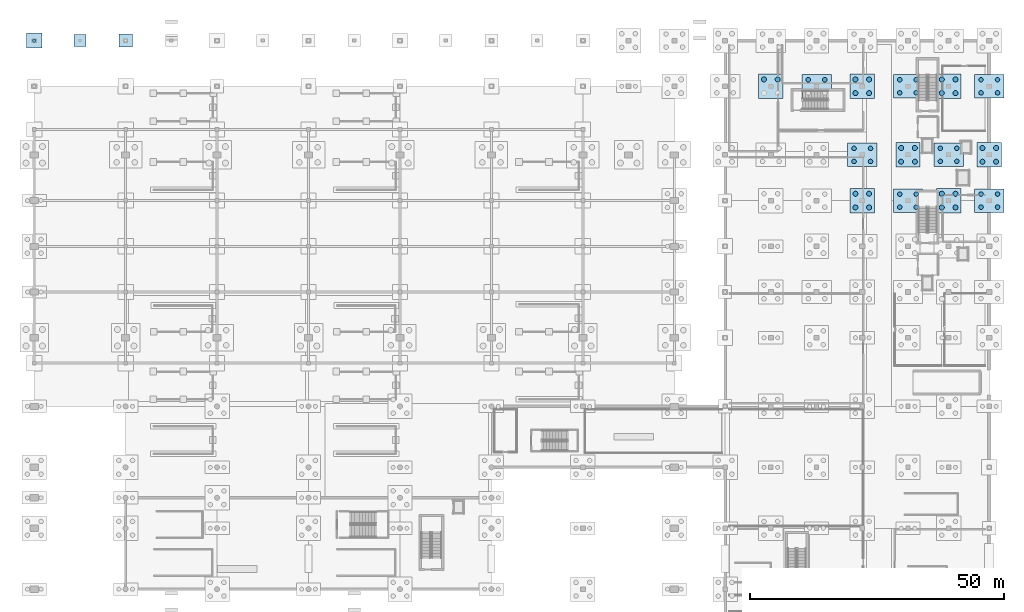
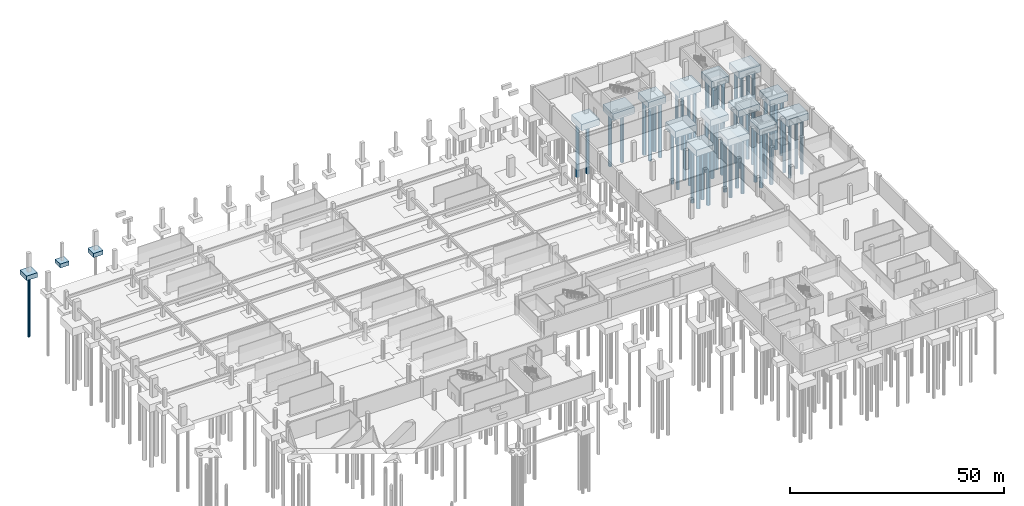
# One storey, part 8 of 26: 53 piles, 17 footings.
"""IFC4 building model written with IfcOpenShell, lengths in metres."""

from ifc_helpers import new_model, si_unit, direction, frame, origin, origin_2d, place, context, subcontext, project, spatial, polyline, circle, outline, extrude, material, material_profile, profile_set, type_object, element, save


model = new_model("IFC4")

# Units and contexts
model_context = context("Model", 3, precision=1e-05, world=origin(), true_north=direction((0.0, 1.0)))
body_context = subcontext(model_context, "Body", "Model", "MODEL_VIEW")
ifc_project = project(units=[si_unit("LENGTHUNIT", "METRE"), si_unit("AREAUNIT", "SQUARE_METRE"), si_unit("VOLUMEUNIT", "CUBIC_METRE"), si_unit("PLANEANGLEUNIT", "RADIAN"), si_unit("MASSUNIT", "GRAM", prefix="KILO")], contexts=[model_context])

# Site, building, storey
site_placement = place(None, origin())
site = spatial("IfcSite", under=ifc_project, at=site_placement, CompositionType="ELEMENT")
building_placement = place(site_placement, origin())
building = spatial("IfcBuilding", under=site, at=building_placement, Name="Chuanluo Vaults Station", CompositionType="ELEMENT")
storey_placement = place(building_placement, frame((0.0, 0.0, -5.39990234375)))
storey = spatial("IfcBuildingStorey", under=building, at=storey_placement, Name="B1", CompositionType="ELEMENT", Elevation=-5.39990234375)

# Footings
ifc_material_1 = material(Name="Concrete C40", Category="concrete")
footing_type_1 = type_object("IfcFootingType", Name="FTG-PC-11", PredefinedType="PAD_FOOTING", material=ifc_material_1)
footing_1_placement = place(storey_placement, frame((0.0, 0.0, -1.10009765625)))
element("IfcFooting", 1, at=footing_1_placement, inside=storey, type_object=footing_type_1, Name="Pilaster pad footing 01", PredefinedType="PAD_FOOTING", context=body_context, shape_type="SweptSolid", body=[
    extrude(outline(polyline([(7.800048828125, 124.800048828125), (10.199951171875, 124.800048828125), (10.199951171875, 127.199951171875), (7.800048828125, 127.199951171875), (7.800048828125, 124.800048828125)])), origin(), (0.0, 0.0, 1.0), 1.10009765625),
])
ifc_material_2 = material(Name="Concrete C40", Category="concrete")
footing_type_2 = type_object("IfcFootingType", Name="FTG-PC-2", PredefinedType="PILE_CAP", material=ifc_material_2)
footing_2_placement = place(storey_placement, frame((0.0, 0.0, -3.0)))
element("IfcFooting", 2, at=footing_2_placement, inside=storey, type_object=footing_type_2, Name="Pile cap PC-108", PredefinedType="PILE_CAP", context=body_context, shape_type="SweptSolid", body=[
    extrude(outline(polyline([(142.60009765625, 114.60009765625), (147.39990234375, 114.60009765625), (147.39990234375, 119.39990234375), (142.60009765625, 119.39990234375), (142.60009765625, 114.60009765625)])), origin(), (0.0, 0.0, 1.0), 1.7998046875),
])
footing_3_placement = place(storey_placement, frame((0.0, 0.0, -3.0)))
element("IfcFooting", 3, at=footing_3_placement, inside=storey, type_object=footing_type_2, Name="Pile cap PC-132", PredefinedType="PILE_CAP", context=body_context, shape_type="SweptSolid", body=[
    extrude(outline(polyline([(160.60009765625, 92.10009765625), (165.39990234375, 92.10009765625), (165.39990234375, 96.89990234375), (160.60009765625, 96.89990234375), (160.60009765625, 92.10009765625)])), origin(), (0.0, 0.0, 1.0), 1.7998046875),
])
footing_4_placement = place(storey_placement, frame((0.0, 0.0, -3.0)))
element("IfcFooting", 4, at=footing_4_placement, inside=storey, type_object=footing_type_2, Name="Pile cap PC-134", PredefinedType="PILE_CAP", context=body_context, shape_type="SweptSolid", body=[
    extrude(outline(polyline([(160.60009765625, 114.60009765625), (165.39990234375, 114.60009765625), (165.39990234375, 119.39990234375), (160.60009765625, 119.39990234375), (160.60009765625, 114.60009765625)])), origin(), (0.0, 0.0, 1.0), 1.7998046875),
])
footing_5_placement = place(storey_placement, frame((0.0, 0.0, -3.0)))
element("IfcFooting", 5, at=footing_5_placement, inside=storey, type_object=footing_type_2, Name="Pile cap PC-146", PredefinedType="PILE_CAP", context=body_context, shape_type="SweptSolid", body=[
    extrude(outline(polyline([(169.60009765625, 101.10009765625), (174.39990234375, 101.10009765625), (174.39990234375, 105.89990234375), (169.60009765625, 105.89990234375), (169.60009765625, 101.10009765625)])), origin(), (0.0, 0.0, 1.0), 1.7998046875),
])
footing_6_placement = place(storey_placement, frame((0.0, 0.0, -3.0)))
element("IfcFooting", 6, at=footing_6_placement, inside=storey, type_object=footing_type_2, Name="Pile cap PC-158", PredefinedType="PILE_CAP", context=body_context, shape_type="SweptSolid", body=[
    extrude(outline(polyline([(177.60009765625, 92.10009765625), (182.39990234375, 92.10009765625), (182.39990234375, 96.89990234375), (177.60009765625, 96.89990234375), (177.60009765625, 92.10009765625)])), origin(), (0.0, 0.0, 1.0), 1.7998046875),
])
footing_7_placement = place(storey_placement, frame((0.0, 0.0, -3.0)))
element("IfcFooting", 7, at=footing_7_placement, inside=storey, type_object=footing_type_2, Name="Pile cap PC-160", PredefinedType="PILE_CAP", context=body_context, shape_type="SweptSolid", body=[
    extrude(outline(polyline([(177.60009765625, 114.60009765625), (182.39990234375, 114.60009765625), (182.39990234375, 119.39990234375), (177.60009765625, 119.39990234375), (177.60009765625, 114.60009765625)])), origin(), (0.0, 0.0, 1.0), 1.7998046875),
])
footing_8_placement = place(storey_placement, frame((0.0, 0.0, -3.0)))
element("IfcFooting", 8, at=footing_8_placement, inside=storey, type_object=footing_type_2, Name="Pile cap PC-172", PredefinedType="PILE_CAP", context=body_context, shape_type="SweptSolid", body=[
    extrude(outline(polyline([(185.60009765625, 101.10009765625), (190.39990234375, 101.10009765625), (190.39990234375, 105.89990234375), (185.60009765625, 105.89990234375), (185.60009765625, 101.10009765625)])), origin(), (0.0, 0.0, 1.0), 1.7998046875),
])
ifc_material_3 = material(Name="Concrete C40", Category="concrete")
footing_type_3 = type_object("IfcFootingType", Name="FTG-PC-5", PredefinedType="PILE_CAP", material=ifc_material_3)
footing_9_placement = place(storey_placement, frame((0.0, 0.0, -1.300048828125)))
element("IfcFooting", 9, at=footing_9_placement, inside=storey, type_object=footing_type_3, Name="Pile cap PC-014", PredefinedType="PILE_CAP", context=body_context, shape_type="SweptSolid", body=[
    extrude(outline(polyline([(-1.5, 124.5), (1.5, 124.5), (1.5, 127.5), (-1.5, 127.5), (-1.5, 124.5)])), origin(), (0.0, 0.0, 1.0), 1.300048828125),
])
ifc_material_4 = material(Name="Concrete C40", Category="concrete")
footing_type_4 = type_object("IfcFootingType", Name="FTG-PC-6", PredefinedType="PILE_CAP", material=ifc_material_4)
footing_10_placement = place(storey_placement, frame((0.0, 0.0, -1.2001953125)))
element("IfcFooting", 10, at=footing_10_placement, inside=storey, type_object=footing_type_4, Name="Pile cap PC-025", PredefinedType="PILE_CAP", context=body_context, shape_type="SweptSolid", body=[
    extrude(outline(polyline([(16.699951171875, 124.699951171875), (19.300048828125, 124.699951171875), (19.300048828125, 127.300048828125), (16.699951171875, 127.300048828125), (16.699951171875, 124.699951171875)])), origin(), (0.0, 0.0, 1.0), 1.2001953125),
])
ifc_material_5 = material(Name="Concrete C40", Category="concrete")
footing_type_5 = type_object("IfcFootingType", Name="FTG-PC-8", PredefinedType="PILE_CAP", material=ifc_material_5)
footing_11_placement = place(storey_placement, frame((0.0, 0.0, -3.10009765625)))
element("IfcFooting", 11, at=footing_11_placement, inside=storey, type_object=footing_type_5, Name="Pile cap PC-121", PredefinedType="PILE_CAP", context=body_context, shape_type="SweptSolid", body=[
    extrude(outline(polyline([(151.10009765625, 114.699951171875), (156.89990234375, 114.699951171875), (156.89990234375, 119.300048828125), (151.10009765625, 119.300048828125), (151.10009765625, 114.699951171875)])), origin(), (0.0, 0.0, 1.0), 1.89990234375),
])
footing_12_placement = place(storey_placement, frame((0.0, 0.0, -3.10009765625)))
element("IfcFooting", 12, at=footing_12_placement, inside=storey, type_object=footing_type_5, Name="Pile cap PC-133", PredefinedType="PILE_CAP", context=body_context, shape_type="SweptSolid", body=[
    extrude(outline(polyline([(160.10009765625, 101.199951171875), (165.89990234375, 101.199951171875), (165.89990234375, 105.800048828125), (160.10009765625, 105.800048828125), (160.10009765625, 101.199951171875)])), origin(), (0.0, 0.0, 1.0), 1.89990234375),
])
footing_13_placement = place(storey_placement, frame((0.0, 0.0, -3.10009765625)))
element("IfcFooting", 13, at=footing_13_placement, inside=storey, type_object=footing_type_5, Name="Pile cap PC-145", PredefinedType="PILE_CAP", context=body_context, shape_type="SweptSolid", body=[
    extrude(outline(polyline([(169.10009765625, 92.199951171875), (174.89990234375, 92.199951171875), (174.89990234375, 96.800048828125), (169.10009765625, 96.800048828125), (169.10009765625, 92.199951171875)])), origin(), (0.0, 0.0, 1.0), 1.89990234375),
])
footing_14_placement = place(storey_placement, frame((0.0, 0.0, -3.10009765625)))
element("IfcFooting", 14, at=footing_14_placement, inside=storey, type_object=footing_type_5, Name="Pile cap PC-147", PredefinedType="PILE_CAP", context=body_context, shape_type="SweptSolid", body=[
    extrude(outline(polyline([(169.10009765625, 114.699951171875), (174.89990234375, 114.699951171875), (174.89990234375, 119.300048828125), (169.10009765625, 119.300048828125), (169.10009765625, 114.699951171875)])), origin(), (0.0, 0.0, 1.0), 1.89990234375),
])
footing_15_placement = place(storey_placement, frame((0.0, 0.0, -3.10009765625)))
element("IfcFooting", 15, at=footing_15_placement, inside=storey, type_object=footing_type_5, Name="Pile cap PC-159", PredefinedType="PILE_CAP", context=body_context, shape_type="SweptSolid", body=[
    extrude(outline(polyline([(177.10009765625, 101.199951171875), (182.89990234375, 101.199951171875), (182.89990234375, 105.800048828125), (177.10009765625, 105.800048828125), (177.10009765625, 101.199951171875)])), origin(), (0.0, 0.0, 1.0), 1.89990234375),
])
footing_16_placement = place(storey_placement, frame((0.0, 0.0, -3.10009765625)))
element("IfcFooting", 16, at=footing_16_placement, inside=storey, type_object=footing_type_5, Name="Pile cap PC-171", PredefinedType="PILE_CAP", context=body_context, shape_type="SweptSolid", body=[
    extrude(outline(polyline([(185.10009765625, 92.199951171875), (190.89990234375, 92.199951171875), (190.89990234375, 96.800048828125), (185.10009765625, 96.800048828125), (185.10009765625, 92.199951171875)])), origin(), (0.0, 0.0, 1.0), 1.89990234375),
])
footing_17_placement = place(storey_placement, frame((0.0, 0.0, -3.10009765625)))
element("IfcFooting", 17, at=footing_17_placement, inside=storey, type_object=footing_type_5, Name="Pile cap PC-173", PredefinedType="PILE_CAP", context=body_context, shape_type="SweptSolid", body=[
    extrude(outline(polyline([(185.10009765625, 114.699951171875), (190.89990234375, 114.699951171875), (190.89990234375, 119.300048828125), (185.10009765625, 119.300048828125), (185.10009765625, 114.699951171875)])), origin(), (0.0, 0.0, 1.0), 1.89990234375),
])

# Piles
ifc_material_6 = material(Name="Concrete C40", Category="concrete")
ifc_material_profile_1 = material_profile(ifc_material_6, circle(Radius=0.5, at=origin_2d()))
ifc_profile_set_1 = profile_set([ifc_material_profile_1], Name="Concrete C40")
pile_type_1 = type_object("IfcPileType", Name="PIL-1000", PredefinedType="BORED", material=ifc_profile_set_1)
for number, where, z_axis, x_axis, name in (
    (18, (143.64990234375, 118.35009765625, -2.880126953125), (0.0, 0.0, -1.0), (1.0, 0.0, 0.0), "Rock-socketed bored pile 300"),
    (19, (146.35009765625, 118.35009765625, -2.880126953125), (0.0, 0.0, -1.0), (1.0, 0.0, 0.0), "Rock-socketed bored pile 301"),
    (20, (161.64990234375, 93.14990234375, -2.880126953125), (0.0, 0.0, -1.0), (1.0, 0.0, 0.0), "Rock-socketed bored pile 380"),
    (21, (164.35009765625, 93.14990234375, -2.880126953125), (0.0, 0.0, -1.0), (1.0, 0.0, 0.0), "Rock-socketed bored pile 381"),
    (22, (161.64990234375, 95.85009765625, -2.880126953125), (0.0, 0.0, -1.0), (1.0, 0.0, 0.0), "Rock-socketed bored pile 382"),
    (23, (164.35009765625, 95.85009765625, -2.880126953125), (0.0, 0.0, -1.0), (1.0, 0.0, 0.0), "Rock-socketed bored pile 383"),
    (24, (161.64990234375, 115.64990234375, -2.880126953125), (0.0, 0.0, -1.0), (1.0, 0.0, 0.0), "Rock-socketed bored pile 388"),
    (25, (164.35009765625, 115.64990234375, -2.880126953125), (0.0, 0.0, -1.0), (1.0, 0.0, 0.0), "Rock-socketed bored pile 389"),
    (26, (161.64990234375, 118.35009765625, -2.880126953125), (0.0, 0.0, -1.0), (1.0, 0.0, 0.0), "Rock-socketed bored pile 390"),
    (27, (164.35009765625, 118.35009765625, -2.880126953125), (0.0, 0.0, -1.0), (1.0, 0.0, 0.0), "Rock-socketed bored pile 391"),
    (28, (170.64990234375, 102.14990234375, -2.880126953125), (0.0, 0.0, -1.0), (1.0, 0.0, 0.0), "Rock-socketed bored pile 430"),
    (29, (173.35009765625, 102.14990234375, -2.880126953125), (0.0, 0.0, -1.0), (1.0, 0.0, 0.0), "Rock-socketed bored pile 431"),
    (30, (170.64990234375, 104.85009765625, -2.880126953125), (0.0, 0.0, -1.0), (1.0, 0.0, 0.0), "Rock-socketed bored pile 432"),
    (31, (173.35009765625, 104.85009765625, -2.880126953125), (0.0, 0.0, -1.0), (1.0, 0.0, 0.0), "Rock-socketed bored pile 433"),
    (32, (178.64990234375, 93.14990234375, -2.880126953125), (0.0, 0.0, -1.0), (1.0, 0.0, 0.0), "Rock-socketed bored pile 470"),
    (33, (181.35009765625, 93.14990234375, -2.880126953125), (0.0, 0.0, -1.0), (1.0, 0.0, 0.0), "Rock-socketed bored pile 471"),
    (34, (178.64990234375, 95.85009765625, -2.880126953125), (0.0, 0.0, -1.0), (1.0, 0.0, 0.0), "Rock-socketed bored pile 472"),
    (35, (181.35009765625, 95.85009765625, -2.880126953125), (0.0, 0.0, -1.0), (1.0, 0.0, 0.0), "Rock-socketed bored pile 473"),
    (36, (178.64990234375, 115.64990234375, -2.880126953125), (0.0, 0.0, -1.0), (1.0, 0.0, 0.0), "Rock-socketed bored pile 478"),
    (37, (181.35009765625, 115.64990234375, -2.880126953125), (0.0, 0.0, -1.0), (1.0, 0.0, 0.0), "Rock-socketed bored pile 479"),
    (38, (178.64990234375, 118.35009765625, -2.880126953125), (0.0, 0.0, -1.0), (1.0, 0.0, 0.0), "Rock-socketed bored pile 480"),
    (39, (181.35009765625, 118.35009765625, -2.880126953125), (0.0, 0.0, -1.0), (1.0, 0.0, 0.0), "Rock-socketed bored pile 481"),
    (40, (186.64990234375, 102.14990234375, -2.880126953125), (0.0, 0.0, -1.0), (1.0, 0.0, 0.0), "Rock-socketed bored pile 509"),
    (41, (189.35009765625, 102.14990234375, -2.880126953125), (0.0, 0.0, -1.0), (1.0, 0.0, 0.0), "Rock-socketed bored pile 510"),
    (42, (186.64990234375, 104.85009765625, -2.880126953125), (0.0, 0.0, -1.0), (1.0, 0.0, 0.0), "Rock-socketed bored pile 511"),
    (43, (189.35009765625, 104.85009765625, -2.880126953125), (0.0, 0.0, -1.0), (1.0, 0.0, 0.0), "Rock-socketed bored pile 512"),
):
    element("IfcPile", number, at=place(storey_placement, frame(where, z_axis=z_axis, x_axis=x_axis)), inside=storey, type_object=pile_type_1, Name=name, PredefinedType="BORED", context=body_context, shape_type="SweptSolid", body=[
        extrude(circle(Radius=0.5, at=origin_2d()), origin(), (0.0, 0.0, 1.0), 15.719970703125),
    ])
ifc_material_7 = material(Name="Concrete C40", Category="concrete")
ifc_material_profile_2 = material_profile(ifc_material_7, circle(Radius=0.35009765625, at=origin_2d()))
ifc_profile_set_2 = profile_set([ifc_material_profile_2], Name="Concrete C40")
pile_type_2 = type_object("IfcPileType", Name="PIL-700", PredefinedType="BORED", material=ifc_profile_set_2)
pile_placement = place(storey_placement, frame((0.0, 126.0, -1.18017578125), z_axis=(0.0, 0.0, -1.0), x_axis=(1.0, 0.0, 0.0)))
element("IfcPile", 44, at=pile_placement, inside=storey, type_object=pile_type_2, Name="Rock-socketed bored pile 034", PredefinedType="BORED", context=body_context, shape_type="SweptSolid", body=[
    extrude(circle(Radius=0.35009765625, at=origin_2d()), origin(), (0.0, 0.0, 1.0), 17.419921875),
])
ifc_material_8 = material(Name="Concrete C40", Category="concrete")
ifc_material_profile_3 = material_profile(ifc_material_8, circle(Radius=0.449951171875, at=origin_2d()))
ifc_profile_set_3 = profile_set([ifc_material_profile_3], Name="Concrete C40")
pile_type_3 = type_object("IfcPileType", Name="PIL-900", PredefinedType="BORED", material=ifc_profile_set_3)
for number, where, z_axis, x_axis, name in (
    (45, (152.3759765625, 118.2880859375, -2.97998046875), (0.0, 0.0, -1.0), (1.0, 0.0, 0.0), "Rock-socketed bored pile 346"),
    (46, (155.6240234375, 118.2880859375, -2.97998046875), (0.0, 0.0, -1.0), (1.0, 0.0, 0.0), "Rock-socketed bored pile 347"),
    (47, (161.3759765625, 102.2119140625, -2.97998046875), (0.0, 0.0, -1.0), (1.0, 0.0, 0.0), "Rock-socketed bored pile 384"),
    (48, (164.6240234375, 102.2119140625, -2.97998046875), (0.0, 0.0, -1.0), (1.0, 0.0, 0.0), "Rock-socketed bored pile 385"),
    (49, (161.3759765625, 104.7880859375, -2.97998046875), (0.0, 0.0, -1.0), (1.0, 0.0, 0.0), "Rock-socketed bored pile 386"),
    (50, (164.6240234375, 104.7880859375, -2.97998046875), (0.0, 0.0, -1.0), (1.0, 0.0, 0.0), "Rock-socketed bored pile 387"),
    (51, (170.3759765625, 93.2119140625, -2.97998046875), (0.0, 0.0, -1.0), (1.0, 0.0, 0.0), "Rock-socketed bored pile 426"),
    (52, (173.6240234375, 93.2119140625, -2.97998046875), (0.0, 0.0, -1.0), (1.0, 0.0, 0.0), "Rock-socketed bored pile 427"),
    (53, (170.3759765625, 95.7880859375, -2.97998046875), (0.0, 0.0, -1.0), (1.0, 0.0, 0.0), "Rock-socketed bored pile 428"),
    (54, (173.6240234375, 95.7880859375, -2.97998046875), (0.0, 0.0, -1.0), (1.0, 0.0, 0.0), "Rock-socketed bored pile 429"),
    (55, (170.3759765625, 115.7119140625, -2.97998046875), (0.0, 0.0, -1.0), (1.0, 0.0, 0.0), "Rock-socketed bored pile 434"),
    (56, (173.6240234375, 115.7119140625, -2.97998046875), (0.0, 0.0, -1.0), (1.0, 0.0, 0.0), "Rock-socketed bored pile 435"),
    (57, (170.3759765625, 118.2880859375, -2.97998046875), (0.0, 0.0, -1.0), (1.0, 0.0, 0.0), "Rock-socketed bored pile 436"),
    (58, (173.6240234375, 118.2880859375, -2.97998046875), (0.0, 0.0, -1.0), (1.0, 0.0, 0.0), "Rock-socketed bored pile 437"),
    (59, (178.3759765625, 102.2119140625, -2.97998046875), (0.0, 0.0, -1.0), (1.0, 0.0, 0.0), "Rock-socketed bored pile 474"),
    (60, (181.6240234375, 102.2119140625, -2.97998046875), (0.0, 0.0, -1.0), (1.0, 0.0, 0.0), "Rock-socketed bored pile 475"),
    (61, (178.3759765625, 104.7880859375, -2.97998046875), (0.0, 0.0, -1.0), (1.0, 0.0, 0.0), "Rock-socketed bored pile 476"),
    (62, (181.6240234375, 104.7880859375, -2.97998046875), (0.0, 0.0, -1.0), (1.0, 0.0, 0.0), "Rock-socketed bored pile 477"),
    (63, (186.3759765625, 93.2119140625, -2.97998046875), (0.0, 0.0, -1.0), (1.0, 0.0, 0.0), "Rock-socketed bored pile 505"),
    (64, (189.6240234375, 93.2119140625, -2.97998046875), (0.0, 0.0, -1.0), (1.0, 0.0, 0.0), "Rock-socketed bored pile 506"),
    (65, (186.3759765625, 95.7880859375, -2.97998046875), (0.0, 0.0, -1.0), (1.0, 0.0, 0.0), "Rock-socketed bored pile 507"),
    (66, (189.6240234375, 95.7880859375, -2.97998046875), (0.0, 0.0, -1.0), (1.0, 0.0, 0.0), "Rock-socketed bored pile 508"),
    (67, (186.3759765625, 115.7119140625, -2.97998046875), (0.0, 0.0, -1.0), (1.0, 0.0, 0.0), "Rock-socketed bored pile 513"),
    (68, (189.6240234375, 115.7119140625, -2.97998046875), (0.0, 0.0, -1.0), (1.0, 0.0, 0.0), "Rock-socketed bored pile 514"),
    (69, (186.3759765625, 118.2880859375, -2.97998046875), (0.0, 0.0, -1.0), (1.0, 0.0, 0.0), "Rock-socketed bored pile 515"),
    (70, (189.6240234375, 118.2880859375, -2.97998046875), (0.0, 0.0, -1.0), (1.0, 0.0, 0.0), "Rock-socketed bored pile 516"),
):
    element("IfcPile", number, at=place(storey_placement, frame(where, z_axis=z_axis, x_axis=x_axis)), inside=storey, type_object=pile_type_3, Name=name, PredefinedType="BORED", context=body_context, shape_type="SweptSolid", body=[
        extrude(circle(Radius=0.449951171875, at=origin_2d()), origin(), (0.0, 0.0, 1.0), 15.6201171875),
    ])

save(model, "model.ifc")
